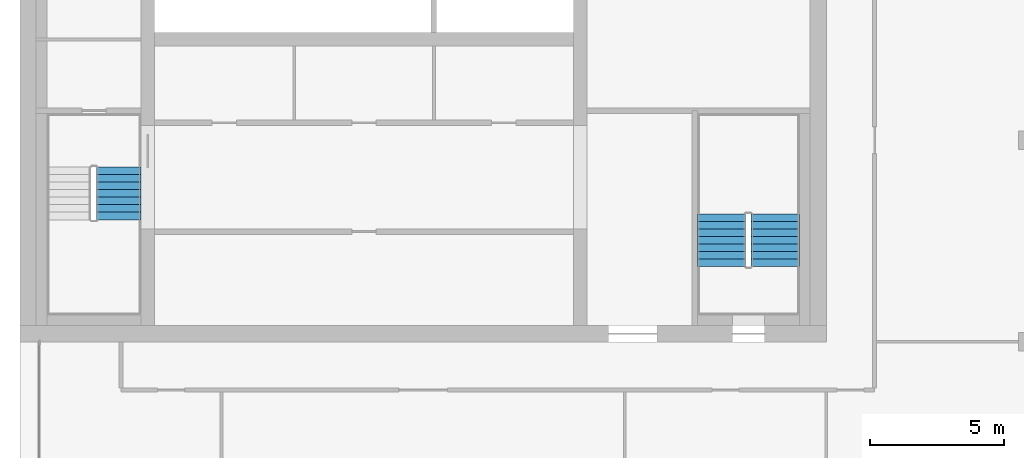
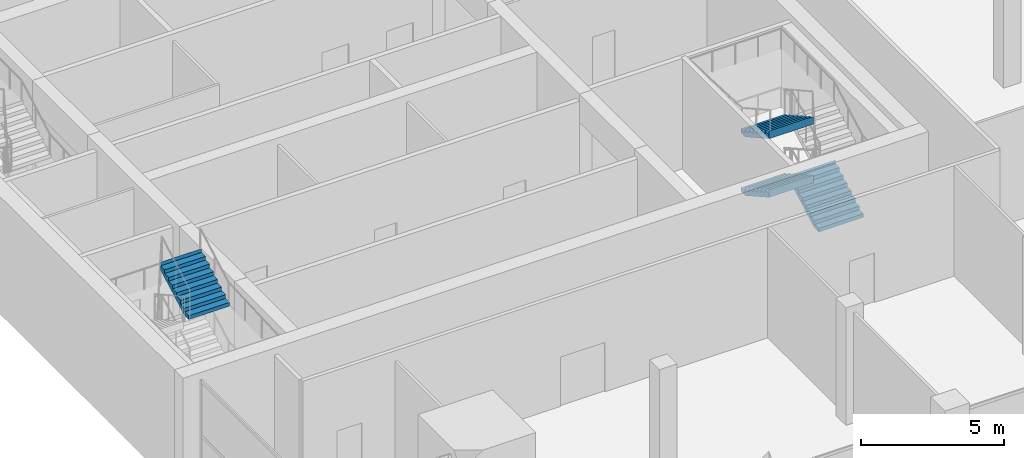
# One storey, part 11 of 15: 4 stair flights, 2 elements without a shape of their own.
"""IFC4 building model written with IfcOpenShell, lengths in metres."""

from ifc_helpers import new_model, si_unit, direction, frame, origin, place, context, subcontext, project, spatial, polyline, outline, extrude, material, type_object, element, aggregate, save


model = new_model("IFC4")

# Units and contexts
model_context = context("Model", 3, precision=1e-05, world=origin(), true_north=direction((0.0, 1.0)))
body_context = subcontext(model_context, "Body", "Model", "MODEL_VIEW")
ifc_project = project(units=[si_unit("LENGTHUNIT", "METRE"), si_unit("AREAUNIT", "SQUARE_METRE"), si_unit("VOLUMEUNIT", "CUBIC_METRE"), si_unit("PLANEANGLEUNIT", "RADIAN"), si_unit("MASSUNIT", "GRAM", prefix="KILO")], contexts=[model_context])

# Site, building, storey
site_placement = place(None, origin())
site = spatial("IfcSite", under=ifc_project, at=site_placement, CompositionType="ELEMENT")
building_placement = place(site_placement, origin())
building = spatial("IfcBuilding", under=site, at=building_placement, Name="Tamorin Gate", CompositionType="ELEMENT")
storey_placement = place(building_placement, frame((0.0, 0.0, 287.199951171875)))
storey = spatial("IfcBuildingStorey", under=building, at=storey_placement, Name="L72", CompositionType="ELEMENT", Elevation=287.199951171875)

# Stair, stair flight
ifc_material = material(Name="Concrete C40/50", Category="concrete")
stair_type = type_object("IfcStairType", Name="Exit stair", PredefinedType="HALF_TURN_STAIR", material=ifc_material)
stair_1_placement = place(storey_placement, origin())
stair_1 = element("IfcStair", 1, at=stair_1_placement, inside=storey, type_object=stair_type, Name="L72 stair ST1", PredefinedType="HALF_TURN_STAIR")
stair_flight_type = type_object("IfcStairFlightType", Name="Exit stair flight", PredefinedType="STRAIGHT", material=ifc_material)
stair_flight_1_placement = place(storey_placement, frame((33.675048828125, 64.5400390625, 3.75), z_axis=(0.0, 0.0, 1.0), x_axis=(0.0, 1.0, 0.0)))
stair_flight_1 = element("IfcStairFlight", 2, at=stair_flight_1_placement, type_object=stair_flight_type, Name="ST1 flight 4", NumberOfRisers=8, NumberOfTreads=7, PredefinedType="STRAIGHT", RiserHeight=0.15625, TreadLength=0.28, context=body_context, shape_type="SweptSolid", body=[
    extrude(outline(polyline([(-0.00048828125, 0.0), (-0.00048828125, 0.00146484375), (-0.00048828125, 0.003173828125), (-0.00048828125, 0.004638671875), (-0.00048828125, 0.006103515625), (-0.00048828125, 0.0078125), (-0.00048828125, 0.00927734375), (-0.00048828125, 0.0107421875), (-0.00048828125, 0.012451171875), (-0.00048828125, 0.013916015625), (-0.00048828125, 0.015380859375), (-0.00048828125, 0.01708984375), (-0.00048828125, 0.0185546875), (-0.00048828125, 0.02001953125), (-0.00048828125, 0.021728515625), (-0.00048828125, 0.023193359375), (-0.00048828125, 0.024658203125), (-0.00048828125, 0.0263671875), (-0.00048828125, 0.02783203125), (-0.00048828125, 0.029296875), (-0.00048828125, 0.031005859375), (-0.00048828125, 0.032470703125), (-0.00048828125, 0.033935546875), (-0.00048828125, 0.03564453125), (-0.00048828125, 0.037109375), (-0.00048828125, 0.03857421875), (-0.00048828125, 0.040283203125), (-0.00048828125, 0.041748046875), (-0.00048828125, 0.043212890625), (-0.00048828125, 0.044921875), (-0.00048828125, 0.04638671875), (-0.00048828125, 0.0478515625), (-0.00048828125, 0.049560546875), (-0.00048828125, 0.051025390625), (-0.00048828125, 0.052490234375), (-0.00048828125, 0.05419921875), (-0.00048828125, 0.0556640625), (-0.00048828125, 0.05712890625), (-0.00048828125, 0.058837890625), (-0.00048828125, 0.060302734375), (-0.00048828125, 0.061767578125), (-0.00048828125, 0.0634765625), (-0.00048828125, 0.06494140625), (-0.00048828125, 0.06640625), (-0.00048828125, 0.068115234375), (-0.00048828125, 0.069580078125), (-0.00048828125, 0.071044921875), (-0.00048828125, 0.07275390625), (-0.00048828125, 0.07421875), (-0.00048828125, 0.07568359375), (-0.00048828125, 0.077392578125), (-0.00048828125, 0.078857421875), (-0.00048828125, 0.08056640625), (-0.00048828125, 0.08203125), (-0.00048828125, 0.08349609375), (-0.00048828125, 0.085205078125), (-0.00048828125, 0.086669921875), (-0.00048828125, 0.088134765625), (-0.00048828125, 0.08984375), (-0.00048828125, 0.09130859375), (-0.00048828125, 0.0927734375), (-0.00048828125, 0.094482421875), (-0.00048828125, 0.095947265625), (-0.00048828125, 0.097412109375), (-0.00048828125, 0.09912109375), (-0.00048828125, 0.1005859375), (-0.00048828125, 0.10205078125), (-0.00048828125, 0.103759765625), (-0.00048828125, 0.105224609375), (-0.00048828125, 0.106689453125), (-0.00048828125, 0.1083984375), (-0.00048828125, 0.10986328125), (-0.00048828125, 0.111328125), (-0.00048828125, 0.113037109375), (-0.00048828125, 0.114501953125), (-0.00048828125, 0.115966796875), (-0.00048828125, 0.11767578125), (-0.00048828125, 0.119140625), (-0.00048828125, 0.12060546875), (-0.00048828125, 0.122314453125), (-0.00048828125, 0.123779296875), (-0.00048828125, 0.125244140625), (-0.00048828125, 0.126953125), (-0.00048828125, 0.12841796875), (-0.00048828125, 0.1298828125), (-0.00048828125, 0.131591796875), (-0.00048828125, 0.133056640625), (-0.00048828125, 0.134521484375), (-0.00048828125, 0.13623046875), (-0.00048828125, 0.1376953125), (-0.00048828125, 0.13916015625), (-0.00048828125, 0.140869140625), (-0.00048828125, 0.142333984375), (-0.00048828125, 0.143798828125), (-0.00048828125, 0.1455078125), (-0.00048828125, 0.14697265625), (-0.00048828125, 0.1484375), (-0.00048828125, 0.150146484375), (-0.00048828125, 0.151611328125), (-0.00048828125, 0.153076171875), (-0.00048828125, 0.15478515625), (-0.00048828125, 0.15625), (0.280029296875, 0.15625), (0.280029296875, 0.3125), (0.56005859375, 0.3125), (0.56005859375, 0.46875), (0.840087890625, 0.46875), (0.840087890625, 0.625), (1.1201171875, 0.625), (1.1201171875, 0.78125), (1.39990234375, 0.78125), (1.39990234375, 0.9375), (1.679931640625, 0.9375), (1.679931640625, 1.09375), (1.9599609375, 1.09375), (1.9599609375, 1.25), (1.96044921875, 1.25), (1.96044921875, 1.246826171875), (1.96044921875, 1.243408203125), (1.96044921875, 1.240234375), (1.96044921875, 1.237060546875), (1.96044921875, 1.23388671875), (1.96044921875, 1.23046875), (1.96044921875, 1.227294921875), (1.96044921875, 1.22412109375), (1.96044921875, 1.220703125), (1.96044921875, 1.217529296875), (1.96044921875, 1.21435546875), (1.96044921875, 1.2109375), (1.96044921875, 1.207763671875), (1.96044921875, 1.20458984375), (1.96044921875, 1.201416015625), (1.96044921875, 1.197998046875), (1.96044921875, 1.19482421875), (1.96044921875, 1.191650390625), (1.96044921875, 1.188232421875), (1.96044921875, 1.18505859375), (1.96044921875, 1.181884765625), (1.96044921875, 1.178466796875), (1.96044921875, 1.17529296875), (1.96044921875, 1.172119140625), (1.96044921875, 1.1689453125), (1.96044921875, 1.16552734375), (1.96044921875, 1.162353515625), (1.96044921875, 1.1591796875), (1.96044921875, 1.15576171875), (1.96044921875, 1.152587890625), (1.96044921875, 1.1494140625), (1.96044921875, 1.14599609375), (1.96044921875, 1.142822265625), (1.96044921875, 1.1396484375), (1.96044921875, 1.136474609375), (1.96044921875, 1.133056640625), (1.96044921875, 1.1298828125), (1.96044921875, 1.126708984375), (1.96044921875, 1.123291015625), (1.96044921875, 1.1201171875), (1.96044921875, 1.116943359375), (1.96044921875, 1.113525390625), (1.96044921875, 1.1103515625), (1.96044921875, 1.107177734375), (1.96044921875, 1.10400390625), (1.96044921875, 1.1005859375), (1.96044921875, 1.097412109375), (1.96044921875, 1.09423828125), (1.96044921875, 1.0908203125), (1.96044921875, 1.087646484375), (1.96044921875, 1.08447265625), (1.96044921875, 1.0810546875), (1.96044921875, 1.077880859375), (1.96044921875, 1.07470703125), (1.96044921875, 1.071533203125), (1.96044921875, 1.068115234375), (1.96044921875, 1.06494140625), (1.96044921875, 1.061767578125), (1.96044921875, 1.058349609375), (1.96044921875, 1.05517578125), (1.96044921875, 1.052001953125), (1.96044921875, 1.048828125), (1.96044921875, 1.04541015625), (1.96044921875, 1.042236328125), (1.96044921875, 1.0390625), (1.96044921875, 1.03564453125), (1.96044921875, 1.032470703125), (1.96044921875, 1.029296875), (1.96044921875, 1.02587890625), (1.96044921875, 1.022705078125), (1.96044921875, 1.01953125), (1.96044921875, 1.016357421875), (1.96044921875, 1.012939453125), (1.96044921875, 1.009765625), (1.96044921875, 1.006591796875), (1.96044921875, 1.003173828125), (1.96044921875, 1.0), (1.96044921875, 0.996826171875), (1.96044921875, 0.993408203125), (1.96044921875, 0.990234375), (1.96044921875, 0.987060546875), (1.96044921875, 0.98388671875), (1.96044921875, 0.98046875), (1.96044921875, 0.977294921875), (1.96044921875, 0.97412109375), (1.96044921875, 0.970703125), (1.96044921875, 0.967529296875), (1.96044921875, 0.96435546875), (1.96044921875, 0.9609375), (1.96044921875, 0.957763671875), (1.96044921875, 0.95458984375), (1.96044921875, 0.951416015625), (1.96044921875, 0.947998046875), (1.96044921875, 0.94482421875), (1.96044921875, 0.941650390625), (1.96044921875, 0.938232421875), (1.96044921875, 0.93505859375), (1.96044921875, 0.931884765625), (1.96044921875, 0.928466796875), (1.96044921875, 0.92529296875), (1.96044921875, 0.922119140625), (1.9599609375, 0.922119140625), (0.3076171875, 0.0), (-0.00048828125, 0.0)])), frame((0.0, 0.824951171875, 0.0), z_axis=(0.0, -1.0, 0.0), x_axis=(1.0, 0.0, 0.0)), (0.0, 0.0, 1.0), 1.64990234375),
])
aggregate(stair_1, [stair_flight_1])

# Stair, stair flights
stair_2_placement = place(storey_placement, origin())
stair_2 = element("IfcStair", 3, at=stair_2_placement, inside=storey, type_object=stair_type, Name="L72 stair ST3", PredefinedType="HALF_TURN_STAIR")
stair_flight_2_placement = place(storey_placement, frame((58.10009765625, 62.800048828125, 0.0), z_axis=(0.0, 0.0, 1.0), x_axis=(0.0, 1.0, 0.0)))
stair_flight_2 = element("IfcStairFlight", 4, at=stair_flight_2_placement, type_object=stair_flight_type, Name="ST3 flight 1", NumberOfRisers=8, NumberOfTreads=7, PredefinedType="STRAIGHT", RiserHeight=0.15625, TreadLength=0.28, context=body_context, shape_type="SweptSolid", body=[
    extrude(outline(polyline([(-0.00048828125, 0.0), (-0.00048828125, 0.00146484375), (-0.00048828125, 0.003173828125), (-0.00048828125, 0.004638671875), (-0.00048828125, 0.006103515625), (-0.00048828125, 0.0078125), (-0.00048828125, 0.00927734375), (-0.00048828125, 0.0107421875), (-0.00048828125, 0.012451171875), (-0.00048828125, 0.013916015625), (-0.00048828125, 0.015380859375), (-0.00048828125, 0.01708984375), (-0.00048828125, 0.0185546875), (-0.00048828125, 0.02001953125), (-0.00048828125, 0.021728515625), (-0.00048828125, 0.023193359375), (-0.00048828125, 0.024658203125), (-0.00048828125, 0.0263671875), (-0.00048828125, 0.02783203125), (-0.00048828125, 0.029296875), (-0.00048828125, 0.031005859375), (-0.00048828125, 0.032470703125), (-0.00048828125, 0.033935546875), (-0.00048828125, 0.03564453125), (-0.00048828125, 0.037109375), (-0.00048828125, 0.03857421875), (-0.00048828125, 0.040283203125), (-0.00048828125, 0.041748046875), (-0.00048828125, 0.043212890625), (-0.00048828125, 0.044921875), (-0.00048828125, 0.04638671875), (-0.00048828125, 0.0478515625), (-0.00048828125, 0.049560546875), (-0.00048828125, 0.051025390625), (-0.00048828125, 0.052490234375), (-0.00048828125, 0.05419921875), (-0.00048828125, 0.0556640625), (-0.00048828125, 0.05712890625), (-0.00048828125, 0.058837890625), (-0.00048828125, 0.060302734375), (-0.00048828125, 0.061767578125), (-0.00048828125, 0.0634765625), (-0.00048828125, 0.06494140625), (-0.00048828125, 0.06640625), (-0.00048828125, 0.068115234375), (-0.00048828125, 0.069580078125), (-0.00048828125, 0.071044921875), (-0.00048828125, 0.07275390625), (-0.00048828125, 0.07421875), (-0.00048828125, 0.07568359375), (-0.00048828125, 0.077392578125), (-0.00048828125, 0.078857421875), (-0.00048828125, 0.08056640625), (-0.00048828125, 0.08203125), (-0.00048828125, 0.08349609375), (-0.00048828125, 0.085205078125), (-0.00048828125, 0.086669921875), (-0.00048828125, 0.088134765625), (-0.00048828125, 0.08984375), (-0.00048828125, 0.09130859375), (-0.00048828125, 0.0927734375), (-0.00048828125, 0.094482421875), (-0.00048828125, 0.095947265625), (-0.00048828125, 0.097412109375), (-0.00048828125, 0.09912109375), (-0.00048828125, 0.1005859375), (-0.00048828125, 0.10205078125), (-0.00048828125, 0.103759765625), (-0.00048828125, 0.105224609375), (-0.00048828125, 0.106689453125), (-0.00048828125, 0.1083984375), (-0.00048828125, 0.10986328125), (-0.00048828125, 0.111328125), (-0.00048828125, 0.113037109375), (-0.00048828125, 0.114501953125), (-0.00048828125, 0.115966796875), (-0.00048828125, 0.11767578125), (-0.00048828125, 0.119140625), (-0.00048828125, 0.12060546875), (-0.00048828125, 0.122314453125), (-0.00048828125, 0.123779296875), (-0.00048828125, 0.125244140625), (-0.00048828125, 0.126953125), (-0.00048828125, 0.12841796875), (-0.00048828125, 0.1298828125), (-0.00048828125, 0.131591796875), (-0.00048828125, 0.133056640625), (-0.00048828125, 0.134521484375), (-0.00048828125, 0.13623046875), (-0.00048828125, 0.1376953125), (-0.00048828125, 0.13916015625), (-0.00048828125, 0.140869140625), (-0.00048828125, 0.142333984375), (-0.00048828125, 0.143798828125), (-0.00048828125, 0.1455078125), (-0.00048828125, 0.14697265625), (-0.00048828125, 0.1484375), (-0.00048828125, 0.150146484375), (-0.00048828125, 0.151611328125), (-0.00048828125, 0.153076171875), (-0.00048828125, 0.15478515625), (-0.00048828125, 0.15625), (0.280029296875, 0.15625), (0.280029296875, 0.3125), (0.56005859375, 0.3125), (0.56005859375, 0.46875), (0.840087890625, 0.46875), (0.840087890625, 0.625), (1.1201171875, 0.625), (1.1201171875, 0.78125), (1.39990234375, 0.78125), (1.39990234375, 0.9375), (1.679931640625, 0.9375), (1.679931640625, 1.09375), (1.9599609375, 1.09375), (1.9599609375, 1.25), (1.96044921875, 1.25), (1.96044921875, 1.246826171875), (1.96044921875, 1.243408203125), (1.96044921875, 1.240234375), (1.96044921875, 1.237060546875), (1.96044921875, 1.23388671875), (1.96044921875, 1.23046875), (1.96044921875, 1.227294921875), (1.96044921875, 1.22412109375), (1.96044921875, 1.220703125), (1.96044921875, 1.217529296875), (1.96044921875, 1.21435546875), (1.96044921875, 1.2109375), (1.96044921875, 1.207763671875), (1.96044921875, 1.20458984375), (1.96044921875, 1.201416015625), (1.96044921875, 1.197998046875), (1.96044921875, 1.19482421875), (1.96044921875, 1.191650390625), (1.96044921875, 1.188232421875), (1.96044921875, 1.18505859375), (1.96044921875, 1.181884765625), (1.96044921875, 1.178466796875), (1.96044921875, 1.17529296875), (1.96044921875, 1.172119140625), (1.96044921875, 1.1689453125), (1.96044921875, 1.16552734375), (1.96044921875, 1.162353515625), (1.96044921875, 1.1591796875), (1.96044921875, 1.15576171875), (1.96044921875, 1.152587890625), (1.96044921875, 1.1494140625), (1.96044921875, 1.14599609375), (1.96044921875, 1.142822265625), (1.96044921875, 1.1396484375), (1.96044921875, 1.136474609375), (1.96044921875, 1.133056640625), (1.96044921875, 1.1298828125), (1.96044921875, 1.126708984375), (1.96044921875, 1.123291015625), (1.96044921875, 1.1201171875), (1.96044921875, 1.116943359375), (1.96044921875, 1.113525390625), (1.96044921875, 1.1103515625), (1.96044921875, 1.107177734375), (1.96044921875, 1.10400390625), (1.96044921875, 1.1005859375), (1.96044921875, 1.097412109375), (1.96044921875, 1.09423828125), (1.96044921875, 1.0908203125), (1.96044921875, 1.087646484375), (1.96044921875, 1.08447265625), (1.96044921875, 1.0810546875), (1.96044921875, 1.077880859375), (1.96044921875, 1.07470703125), (1.96044921875, 1.071533203125), (1.96044921875, 1.068115234375), (1.96044921875, 1.06494140625), (1.96044921875, 1.061767578125), (1.96044921875, 1.058349609375), (1.96044921875, 1.05517578125), (1.96044921875, 1.052001953125), (1.96044921875, 1.048828125), (1.96044921875, 1.04541015625), (1.96044921875, 1.042236328125), (1.96044921875, 1.0390625), (1.96044921875, 1.03564453125), (1.96044921875, 1.032470703125), (1.96044921875, 1.029296875), (1.96044921875, 1.02587890625), (1.96044921875, 1.022705078125), (1.96044921875, 1.01953125), (1.96044921875, 1.016357421875), (1.96044921875, 1.012939453125), (1.96044921875, 1.009765625), (1.96044921875, 1.006591796875), (1.96044921875, 1.003173828125), (1.96044921875, 1.0), (1.96044921875, 0.996826171875), (1.96044921875, 0.993408203125), (1.96044921875, 0.990234375), (1.96044921875, 0.987060546875), (1.96044921875, 0.98388671875), (1.96044921875, 0.98046875), (1.96044921875, 0.977294921875), (1.96044921875, 0.97412109375), (1.96044921875, 0.970703125), (1.96044921875, 0.967529296875), (1.96044921875, 0.96435546875), (1.96044921875, 0.9609375), (1.96044921875, 0.957763671875), (1.96044921875, 0.95458984375), (1.96044921875, 0.951416015625), (1.96044921875, 0.947998046875), (1.96044921875, 0.94482421875), (1.96044921875, 0.941650390625), (1.96044921875, 0.938232421875), (1.96044921875, 0.93505859375), (1.96044921875, 0.931884765625), (1.96044921875, 0.928466796875), (1.96044921875, 0.92529296875), (1.96044921875, 0.922119140625), (1.9599609375, 0.922119140625), (0.3076171875, 0.0), (-0.00048828125, 0.0)])), frame((0.0, 0.89990234375, 0.0), z_axis=(0.0, -1.0, 0.0), x_axis=(1.0, 0.0, 0.0)), (0.0, 0.0, 1.0), 1.800048828125),
])
stair_flight_3_placement = place(storey_placement, frame((56.10009765625, 64.760009765625, 1.25), z_axis=(0.0, 0.0, 1.0), x_axis=(0.0, -1.0, 0.0)))
stair_flight_3 = element("IfcStairFlight", 5, at=stair_flight_3_placement, type_object=stair_flight_type, Name="ST3 flight 2", NumberOfRisers=8, NumberOfTreads=7, PredefinedType="STRAIGHT", RiserHeight=0.15625, TreadLength=0.28, context=body_context, shape_type="SweptSolid", body=[
    extrude(outline(polyline([(-0.00048828125, 0.0), (-0.00048828125, 0.00146484375), (-0.00048828125, 0.003173828125), (-0.00048828125, 0.004638671875), (-0.00048828125, 0.006103515625), (-0.00048828125, 0.0078125), (-0.00048828125, 0.00927734375), (-0.00048828125, 0.0107421875), (-0.00048828125, 0.012451171875), (-0.00048828125, 0.013916015625), (-0.00048828125, 0.015380859375), (-0.00048828125, 0.01708984375), (-0.00048828125, 0.0185546875), (-0.00048828125, 0.02001953125), (-0.00048828125, 0.021728515625), (-0.00048828125, 0.023193359375), (-0.00048828125, 0.024658203125), (-0.00048828125, 0.0263671875), (-0.00048828125, 0.02783203125), (-0.00048828125, 0.029296875), (-0.00048828125, 0.031005859375), (-0.00048828125, 0.032470703125), (-0.00048828125, 0.033935546875), (-0.00048828125, 0.03564453125), (-0.00048828125, 0.037109375), (-0.00048828125, 0.03857421875), (-0.00048828125, 0.040283203125), (-0.00048828125, 0.041748046875), (-0.00048828125, 0.043212890625), (-0.00048828125, 0.044921875), (-0.00048828125, 0.04638671875), (-0.00048828125, 0.0478515625), (-0.00048828125, 0.049560546875), (-0.00048828125, 0.051025390625), (-0.00048828125, 0.052490234375), (-0.00048828125, 0.05419921875), (-0.00048828125, 0.0556640625), (-0.00048828125, 0.05712890625), (-0.00048828125, 0.058837890625), (-0.00048828125, 0.060302734375), (-0.00048828125, 0.061767578125), (-0.00048828125, 0.0634765625), (-0.00048828125, 0.06494140625), (-0.00048828125, 0.06640625), (-0.00048828125, 0.068115234375), (-0.00048828125, 0.069580078125), (-0.00048828125, 0.071044921875), (-0.00048828125, 0.07275390625), (-0.00048828125, 0.07421875), (-0.00048828125, 0.07568359375), (-0.00048828125, 0.077392578125), (-0.00048828125, 0.078857421875), (-0.00048828125, 0.08056640625), (-0.00048828125, 0.08203125), (-0.00048828125, 0.08349609375), (-0.00048828125, 0.085205078125), (-0.00048828125, 0.086669921875), (-0.00048828125, 0.088134765625), (-0.00048828125, 0.08984375), (-0.00048828125, 0.09130859375), (-0.00048828125, 0.0927734375), (-0.00048828125, 0.094482421875), (-0.00048828125, 0.095947265625), (-0.00048828125, 0.097412109375), (-0.00048828125, 0.09912109375), (-0.00048828125, 0.1005859375), (-0.00048828125, 0.10205078125), (-0.00048828125, 0.103759765625), (-0.00048828125, 0.105224609375), (-0.00048828125, 0.106689453125), (-0.00048828125, 0.1083984375), (-0.00048828125, 0.10986328125), (-0.00048828125, 0.111328125), (-0.00048828125, 0.113037109375), (-0.00048828125, 0.114501953125), (-0.00048828125, 0.115966796875), (-0.00048828125, 0.11767578125), (-0.00048828125, 0.119140625), (-0.00048828125, 0.12060546875), (-0.00048828125, 0.122314453125), (-0.00048828125, 0.123779296875), (-0.00048828125, 0.125244140625), (-0.00048828125, 0.126953125), (-0.00048828125, 0.12841796875), (-0.00048828125, 0.1298828125), (-0.00048828125, 0.131591796875), (-0.00048828125, 0.133056640625), (-0.00048828125, 0.134521484375), (-0.00048828125, 0.13623046875), (-0.00048828125, 0.1376953125), (-0.00048828125, 0.13916015625), (-0.00048828125, 0.140869140625), (-0.00048828125, 0.142333984375), (-0.00048828125, 0.143798828125), (-0.00048828125, 0.1455078125), (-0.00048828125, 0.14697265625), (-0.00048828125, 0.1484375), (-0.00048828125, 0.150146484375), (-0.00048828125, 0.151611328125), (-0.00048828125, 0.153076171875), (-0.00048828125, 0.15478515625), (-0.00048828125, 0.15625), (0.280029296875, 0.15625), (0.280029296875, 0.3125), (0.56005859375, 0.3125), (0.56005859375, 0.46875), (0.840087890625, 0.46875), (0.840087890625, 0.625), (1.1201171875, 0.625), (1.1201171875, 0.78125), (1.39990234375, 0.78125), (1.39990234375, 0.9375), (1.679931640625, 0.9375), (1.679931640625, 1.09375), (1.9599609375, 1.09375), (1.9599609375, 1.25), (1.96044921875, 1.25), (1.96044921875, 1.246826171875), (1.96044921875, 1.243408203125), (1.96044921875, 1.240234375), (1.96044921875, 1.237060546875), (1.96044921875, 1.23388671875), (1.96044921875, 1.23046875), (1.96044921875, 1.227294921875), (1.96044921875, 1.22412109375), (1.96044921875, 1.220703125), (1.96044921875, 1.217529296875), (1.96044921875, 1.21435546875), (1.96044921875, 1.2109375), (1.96044921875, 1.207763671875), (1.96044921875, 1.20458984375), (1.96044921875, 1.201416015625), (1.96044921875, 1.197998046875), (1.96044921875, 1.19482421875), (1.96044921875, 1.191650390625), (1.96044921875, 1.188232421875), (1.96044921875, 1.18505859375), (1.96044921875, 1.181884765625), (1.96044921875, 1.178466796875), (1.96044921875, 1.17529296875), (1.96044921875, 1.172119140625), (1.96044921875, 1.1689453125), (1.96044921875, 1.16552734375), (1.96044921875, 1.162353515625), (1.96044921875, 1.1591796875), (1.96044921875, 1.15576171875), (1.96044921875, 1.152587890625), (1.96044921875, 1.1494140625), (1.96044921875, 1.14599609375), (1.96044921875, 1.142822265625), (1.96044921875, 1.1396484375), (1.96044921875, 1.136474609375), (1.96044921875, 1.133056640625), (1.96044921875, 1.1298828125), (1.96044921875, 1.126708984375), (1.96044921875, 1.123291015625), (1.96044921875, 1.1201171875), (1.96044921875, 1.116943359375), (1.96044921875, 1.113525390625), (1.96044921875, 1.1103515625), (1.96044921875, 1.107177734375), (1.96044921875, 1.10400390625), (1.96044921875, 1.1005859375), (1.96044921875, 1.097412109375), (1.96044921875, 1.09423828125), (1.96044921875, 1.0908203125), (1.96044921875, 1.087646484375), (1.96044921875, 1.08447265625), (1.96044921875, 1.0810546875), (1.96044921875, 1.077880859375), (1.96044921875, 1.07470703125), (1.96044921875, 1.071533203125), (1.96044921875, 1.068115234375), (1.96044921875, 1.06494140625), (1.96044921875, 1.061767578125), (1.96044921875, 1.058349609375), (1.96044921875, 1.05517578125), (1.96044921875, 1.052001953125), (1.96044921875, 1.048828125), (1.96044921875, 1.04541015625), (1.96044921875, 1.042236328125), (1.96044921875, 1.0390625), (1.96044921875, 1.03564453125), (1.96044921875, 1.032470703125), (1.96044921875, 1.029296875), (1.96044921875, 1.02587890625), (1.96044921875, 1.022705078125), (1.96044921875, 1.01953125), (1.96044921875, 1.016357421875), (1.96044921875, 1.012939453125), (1.96044921875, 1.009765625), (1.96044921875, 1.006591796875), (1.96044921875, 1.003173828125), (1.96044921875, 1.0), (1.96044921875, 0.996826171875), (1.96044921875, 0.993408203125), (1.96044921875, 0.990234375), (1.96044921875, 0.987060546875), (1.96044921875, 0.98388671875), (1.96044921875, 0.98046875), (1.96044921875, 0.977294921875), (1.96044921875, 0.97412109375), (1.96044921875, 0.970703125), (1.96044921875, 0.967529296875), (1.96044921875, 0.96435546875), (1.96044921875, 0.9609375), (1.96044921875, 0.957763671875), (1.96044921875, 0.95458984375), (1.96044921875, 0.951416015625), (1.96044921875, 0.947998046875), (1.96044921875, 0.94482421875), (1.96044921875, 0.941650390625), (1.96044921875, 0.938232421875), (1.96044921875, 0.93505859375), (1.96044921875, 0.931884765625), (1.96044921875, 0.928466796875), (1.96044921875, 0.92529296875), (1.96044921875, 0.922119140625), (1.9599609375, 0.922119140625), (0.3076171875, 0.0), (-0.00048828125, 0.0)])), frame((0.0, 0.89990234375, 0.0), z_axis=(0.0, -1.0, 0.0), x_axis=(1.0, 0.0, 0.0)), (0.0, 0.0, 1.0), 1.800048828125),
])
stair_flight_4_placement = place(storey_placement, frame((56.10009765625, 64.760009765625, 3.75), z_axis=(0.0, 0.0, 1.0), x_axis=(0.0, -1.0, 0.0)))
stair_flight_4 = element("IfcStairFlight", 6, at=stair_flight_4_placement, type_object=stair_flight_type, Name="ST3 flight 4", NumberOfRisers=8, NumberOfTreads=7, PredefinedType="STRAIGHT", RiserHeight=0.15625, TreadLength=0.28, context=body_context, shape_type="SweptSolid", body=[
    extrude(outline(polyline([(-0.00048828125, 0.0), (-0.00048828125, 0.00146484375), (-0.00048828125, 0.003173828125), (-0.00048828125, 0.004638671875), (-0.00048828125, 0.006103515625), (-0.00048828125, 0.0078125), (-0.00048828125, 0.00927734375), (-0.00048828125, 0.0107421875), (-0.00048828125, 0.012451171875), (-0.00048828125, 0.013916015625), (-0.00048828125, 0.015380859375), (-0.00048828125, 0.01708984375), (-0.00048828125, 0.0185546875), (-0.00048828125, 0.02001953125), (-0.00048828125, 0.021728515625), (-0.00048828125, 0.023193359375), (-0.00048828125, 0.024658203125), (-0.00048828125, 0.0263671875), (-0.00048828125, 0.02783203125), (-0.00048828125, 0.029296875), (-0.00048828125, 0.031005859375), (-0.00048828125, 0.032470703125), (-0.00048828125, 0.033935546875), (-0.00048828125, 0.03564453125), (-0.00048828125, 0.037109375), (-0.00048828125, 0.03857421875), (-0.00048828125, 0.040283203125), (-0.00048828125, 0.041748046875), (-0.00048828125, 0.043212890625), (-0.00048828125, 0.044921875), (-0.00048828125, 0.04638671875), (-0.00048828125, 0.0478515625), (-0.00048828125, 0.049560546875), (-0.00048828125, 0.051025390625), (-0.00048828125, 0.052490234375), (-0.00048828125, 0.05419921875), (-0.00048828125, 0.0556640625), (-0.00048828125, 0.05712890625), (-0.00048828125, 0.058837890625), (-0.00048828125, 0.060302734375), (-0.00048828125, 0.061767578125), (-0.00048828125, 0.0634765625), (-0.00048828125, 0.06494140625), (-0.00048828125, 0.06640625), (-0.00048828125, 0.068115234375), (-0.00048828125, 0.069580078125), (-0.00048828125, 0.071044921875), (-0.00048828125, 0.07275390625), (-0.00048828125, 0.07421875), (-0.00048828125, 0.07568359375), (-0.00048828125, 0.077392578125), (-0.00048828125, 0.078857421875), (-0.00048828125, 0.08056640625), (-0.00048828125, 0.08203125), (-0.00048828125, 0.08349609375), (-0.00048828125, 0.085205078125), (-0.00048828125, 0.086669921875), (-0.00048828125, 0.088134765625), (-0.00048828125, 0.08984375), (-0.00048828125, 0.09130859375), (-0.00048828125, 0.0927734375), (-0.00048828125, 0.094482421875), (-0.00048828125, 0.095947265625), (-0.00048828125, 0.097412109375), (-0.00048828125, 0.09912109375), (-0.00048828125, 0.1005859375), (-0.00048828125, 0.10205078125), (-0.00048828125, 0.103759765625), (-0.00048828125, 0.105224609375), (-0.00048828125, 0.106689453125), (-0.00048828125, 0.1083984375), (-0.00048828125, 0.10986328125), (-0.00048828125, 0.111328125), (-0.00048828125, 0.113037109375), (-0.00048828125, 0.114501953125), (-0.00048828125, 0.115966796875), (-0.00048828125, 0.11767578125), (-0.00048828125, 0.119140625), (-0.00048828125, 0.12060546875), (-0.00048828125, 0.122314453125), (-0.00048828125, 0.123779296875), (-0.00048828125, 0.125244140625), (-0.00048828125, 0.126953125), (-0.00048828125, 0.12841796875), (-0.00048828125, 0.1298828125), (-0.00048828125, 0.131591796875), (-0.00048828125, 0.133056640625), (-0.00048828125, 0.134521484375), (-0.00048828125, 0.13623046875), (-0.00048828125, 0.1376953125), (-0.00048828125, 0.13916015625), (-0.00048828125, 0.140869140625), (-0.00048828125, 0.142333984375), (-0.00048828125, 0.143798828125), (-0.00048828125, 0.1455078125), (-0.00048828125, 0.14697265625), (-0.00048828125, 0.1484375), (-0.00048828125, 0.150146484375), (-0.00048828125, 0.151611328125), (-0.00048828125, 0.153076171875), (-0.00048828125, 0.15478515625), (-0.00048828125, 0.15625), (0.280029296875, 0.15625), (0.280029296875, 0.3125), (0.56005859375, 0.3125), (0.56005859375, 0.46875), (0.840087890625, 0.46875), (0.840087890625, 0.625), (1.1201171875, 0.625), (1.1201171875, 0.78125), (1.39990234375, 0.78125), (1.39990234375, 0.9375), (1.679931640625, 0.9375), (1.679931640625, 1.09375), (1.9599609375, 1.09375), (1.9599609375, 1.25), (1.96044921875, 1.25), (1.96044921875, 1.246826171875), (1.96044921875, 1.243408203125), (1.96044921875, 1.240234375), (1.96044921875, 1.237060546875), (1.96044921875, 1.23388671875), (1.96044921875, 1.23046875), (1.96044921875, 1.227294921875), (1.96044921875, 1.22412109375), (1.96044921875, 1.220703125), (1.96044921875, 1.217529296875), (1.96044921875, 1.21435546875), (1.96044921875, 1.2109375), (1.96044921875, 1.207763671875), (1.96044921875, 1.20458984375), (1.96044921875, 1.201416015625), (1.96044921875, 1.197998046875), (1.96044921875, 1.19482421875), (1.96044921875, 1.191650390625), (1.96044921875, 1.188232421875), (1.96044921875, 1.18505859375), (1.96044921875, 1.181884765625), (1.96044921875, 1.178466796875), (1.96044921875, 1.17529296875), (1.96044921875, 1.172119140625), (1.96044921875, 1.1689453125), (1.96044921875, 1.16552734375), (1.96044921875, 1.162353515625), (1.96044921875, 1.1591796875), (1.96044921875, 1.15576171875), (1.96044921875, 1.152587890625), (1.96044921875, 1.1494140625), (1.96044921875, 1.14599609375), (1.96044921875, 1.142822265625), (1.96044921875, 1.1396484375), (1.96044921875, 1.136474609375), (1.96044921875, 1.133056640625), (1.96044921875, 1.1298828125), (1.96044921875, 1.126708984375), (1.96044921875, 1.123291015625), (1.96044921875, 1.1201171875), (1.96044921875, 1.116943359375), (1.96044921875, 1.113525390625), (1.96044921875, 1.1103515625), (1.96044921875, 1.107177734375), (1.96044921875, 1.10400390625), (1.96044921875, 1.1005859375), (1.96044921875, 1.097412109375), (1.96044921875, 1.09423828125), (1.96044921875, 1.0908203125), (1.96044921875, 1.087646484375), (1.96044921875, 1.08447265625), (1.96044921875, 1.0810546875), (1.96044921875, 1.077880859375), (1.96044921875, 1.07470703125), (1.96044921875, 1.071533203125), (1.96044921875, 1.068115234375), (1.96044921875, 1.06494140625), (1.96044921875, 1.061767578125), (1.96044921875, 1.058349609375), (1.96044921875, 1.05517578125), (1.96044921875, 1.052001953125), (1.96044921875, 1.048828125), (1.96044921875, 1.04541015625), (1.96044921875, 1.042236328125), (1.96044921875, 1.0390625), (1.96044921875, 1.03564453125), (1.96044921875, 1.032470703125), (1.96044921875, 1.029296875), (1.96044921875, 1.02587890625), (1.96044921875, 1.022705078125), (1.96044921875, 1.01953125), (1.96044921875, 1.016357421875), (1.96044921875, 1.012939453125), (1.96044921875, 1.009765625), (1.96044921875, 1.006591796875), (1.96044921875, 1.003173828125), (1.96044921875, 1.0), (1.96044921875, 0.996826171875), (1.96044921875, 0.993408203125), (1.96044921875, 0.990234375), (1.96044921875, 0.987060546875), (1.96044921875, 0.98388671875), (1.96044921875, 0.98046875), (1.96044921875, 0.977294921875), (1.96044921875, 0.97412109375), (1.96044921875, 0.970703125), (1.96044921875, 0.967529296875), (1.96044921875, 0.96435546875), (1.96044921875, 0.9609375), (1.96044921875, 0.957763671875), (1.96044921875, 0.95458984375), (1.96044921875, 0.951416015625), (1.96044921875, 0.947998046875), (1.96044921875, 0.94482421875), (1.96044921875, 0.941650390625), (1.96044921875, 0.938232421875), (1.96044921875, 0.93505859375), (1.96044921875, 0.931884765625), (1.96044921875, 0.928466796875), (1.96044921875, 0.92529296875), (1.96044921875, 0.922119140625), (1.9599609375, 0.922119140625), (0.3076171875, 0.0), (-0.00048828125, 0.0)])), frame((0.0, 0.89990234375, 0.0), z_axis=(0.0, -1.0, 0.0), x_axis=(1.0, 0.0, 0.0)), (0.0, 0.0, 1.0), 1.800048828125),
])
aggregate(stair_2, [stair_flight_2, stair_flight_3, stair_flight_4])

save(model, "model.ifc")
